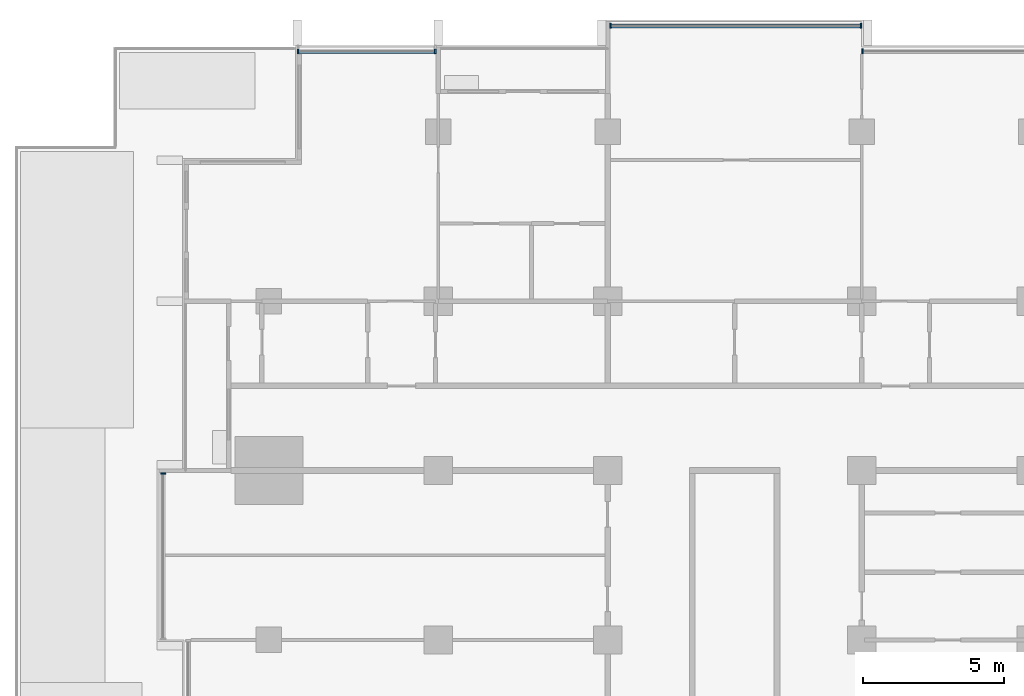
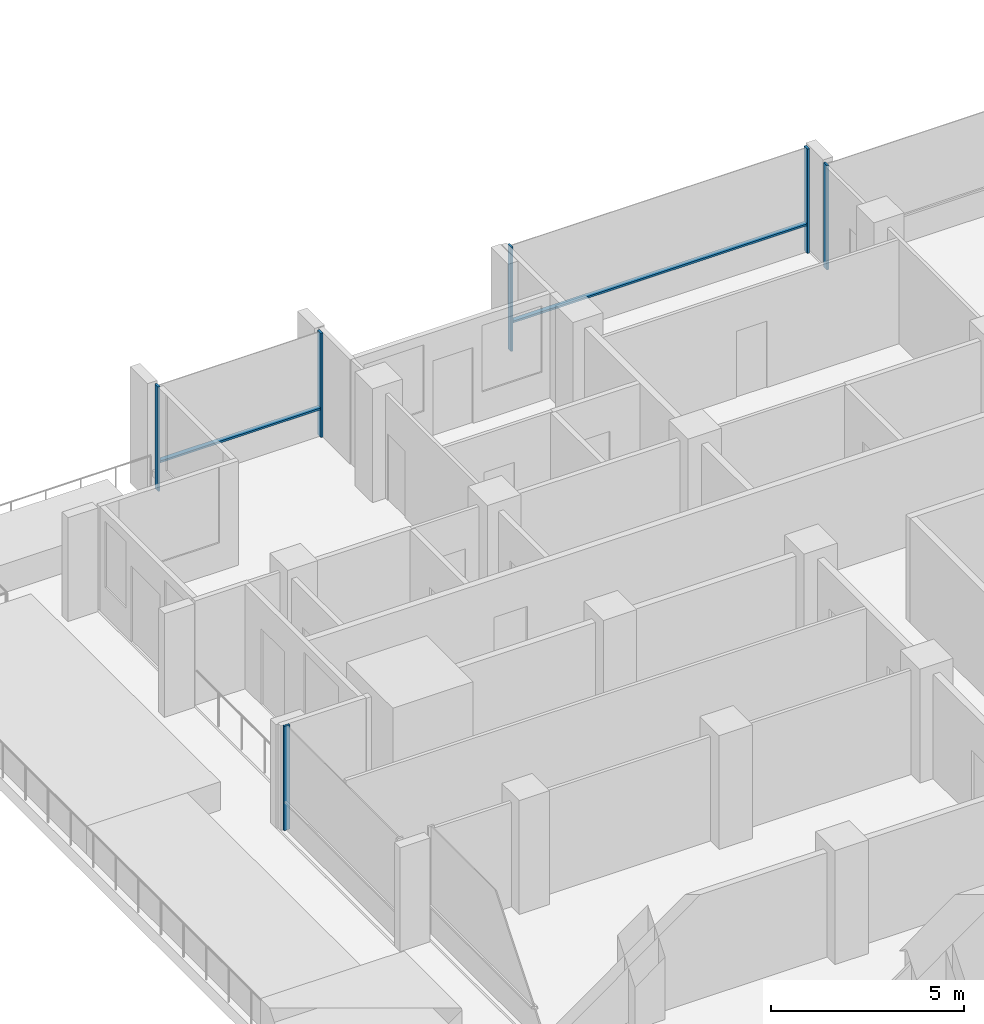
# One storey, part 4 of 18: 8 members, 4 elements without a shape of their own.
"""IFC4 building model written with IfcOpenShell, lengths in metres."""

from ifc_helpers import new_model, si_unit, direction, frame, origin, origin_2d, place, context, subcontext, project, spatial, rectangle, extrude, material, material_profile, profile_set, type_object, element, aggregate, save


model = new_model("IFC4")

# Units and contexts
model_context = context("Model", 3, precision=1e-05, world=origin(), true_north=direction((0.0, 1.0)))
body_context = subcontext(model_context, "Body", "Model", "MODEL_VIEW")
ifc_project = project(units=[si_unit("LENGTHUNIT", "METRE"), si_unit("AREAUNIT", "SQUARE_METRE"), si_unit("VOLUMEUNIT", "CUBIC_METRE"), si_unit("PLANEANGLEUNIT", "RADIAN"), si_unit("MASSUNIT", "GRAM", prefix="KILO")], contexts=[model_context])

# Site, building, storey
site_placement = place(None, origin())
site = spatial("IfcSite", under=ifc_project, at=site_placement, CompositionType="ELEMENT")
building_placement = place(site_placement, origin())
building = spatial("IfcBuilding", under=site, at=building_placement, Name="Finial Court Residences", CompositionType="ELEMENT")
storey_placement = place(building_placement, frame((0.0, 0.0, 149.300048828125)))
storey = spatial("IfcBuildingStorey", under=building, at=storey_placement, Name="L36", CompositionType="ELEMENT", Elevation=149.300048828125)

# Curtain wall, members
ifc_material = material(Name="Bronze anodised aluminium", Category="aluminium")
curtain_wall_type = type_object("IfcCurtainWallType", Name="Unitised curtain wall, upper zones", PredefinedType="NOTDEFINED", material=ifc_material)
curtain_wall_1_placement = place(storey_placement, origin())
curtain_wall_1 = element("IfcCurtainWall", 1, at=curtain_wall_1_placement, inside=storey, type_object=curtain_wall_type, Name="E-L36-CW-N1", PredefinedType="NOTDEFINED")
ifc_material_profile_1 = material_profile(ifc_material, rectangle(XDim=0.175048828125, YDim=0.06005859375, at=origin_2d()), Name="CW2 mullion 60 x 175")
ifc_profile_set_1 = profile_set([ifc_material_profile_1], Name="Bronze anodised aluminium")
member_type_1 = type_object("IfcMemberType", Name="CW2 mullion 60 x 175", PredefinedType="MULLION", material=ifc_profile_set_1)
member_1_placement = place(storey_placement, frame((-15.469970703125, 22.35009765625, 0.0), z_axis=(0.0, 0.0, 1.0), x_axis=(0.0, 1.0, 0.0)))
member_1 = element("IfcMember", 2, at=member_1_placement, type_object=member_type_1, Name="CW2 mullion 1", PredefinedType="MULLION", context=body_context, shape_type="SweptSolid", body=[
    extrude(rectangle(XDim=0.175048828125, YDim=0.06005859375, at=origin_2d()), origin(), (0.0, 0.0, 1.0), 3.300048828125),
])
member_2_placement = place(storey_placement, frame((-10.60498046875, 22.35009765625, 0.0), z_axis=(0.0, 0.0, 1.0), x_axis=(0.0, 1.0, 0.0)))
member_2 = element("IfcMember", 3, at=member_2_placement, type_object=member_type_1, Name="CW2 mullion 2", PredefinedType="MULLION", context=body_context, shape_type="SweptSolid", body=[
    extrude(rectangle(XDim=0.175048828125, YDim=0.06005859375, at=origin_2d()), origin(), (0.0, 0.0, 1.0), 3.300048828125),
])

curtain_wall_2_placement = place(storey_placement, origin())
curtain_wall_2 = element("IfcCurtainWall", 4, at=curtain_wall_2_placement, inside=storey, type_object=curtain_wall_type, Name="E-L36-CW-N2", PredefinedType="NOTDEFINED")
member_3_placement = place(storey_placement, frame((-4.39501953125, 23.25, 0.0), z_axis=(0.0, 0.0, 1.0), x_axis=(0.0, 1.0, 0.0)))
member_3 = element("IfcMember", 5, at=member_3_placement, type_object=member_type_1, Name="CW2 mullion 1", PredefinedType="MULLION", context=body_context, shape_type="SweptSolid", body=[
    extrude(rectangle(XDim=0.175048828125, YDim=0.06005859375, at=origin_2d()), origin(), (0.0, 0.0, 1.0), 3.300048828125),
])
member_4_placement = place(storey_placement, frame((4.469970703125, 23.25, 0.0), z_axis=(0.0, 0.0, 1.0), x_axis=(0.0, 1.0, 0.0)))
member_4 = element("IfcMember", 6, at=member_4_placement, type_object=member_type_1, Name="CW2 mullion 2", PredefinedType="MULLION", context=body_context, shape_type="SweptSolid", body=[
    extrude(rectangle(XDim=0.175048828125, YDim=0.06005859375, at=origin_2d()), origin(), (0.0, 0.0, 1.0), 3.300048828125),
])

# Curtain wall, member
curtain_wall_3_placement = place(storey_placement, origin())
curtain_wall_3 = element("IfcCurtainWall", 7, at=curtain_wall_3_placement, inside=storey, type_object=curtain_wall_type, Name="E-L36-CW-N3", PredefinedType="NOTDEFINED")
member_5_placement = place(storey_placement, frame((4.530029296875, 22.35009765625, 0.0), z_axis=(0.0, 0.0, 1.0), x_axis=(0.0, 1.0, 0.0)))
member_5 = element("IfcMember", 8, at=member_5_placement, type_object=member_type_1, Name="CW2 mullion 1", PredefinedType="MULLION", context=body_context, shape_type="SweptSolid", body=[
    extrude(rectangle(XDim=0.175048828125, YDim=0.06005859375, at=origin_2d()), origin(), (0.0, 0.0, 1.0), 3.300048828125),
])
aggregate(curtain_wall_3, [member_5])

curtain_wall_4_placement = place(storey_placement, origin())
curtain_wall_4 = element("IfcCurtainWall", 9, at=curtain_wall_4_placement, inside=storey, type_object=curtain_wall_type, Name="E-L36-CW-W10", PredefinedType="NOTDEFINED")
member_6_placement = place(storey_placement, frame((-20.25, 7.39501953125, 0.0), z_axis=(0.0, 0.0, 1.0), x_axis=(-1.0, 0.0, 0.0)))
member_6 = element("IfcMember", 10, at=member_6_placement, type_object=member_type_1, Name="CW2 mullion 2", PredefinedType="MULLION", context=body_context, shape_type="SweptSolid", body=[
    extrude(rectangle(XDim=0.175048828125, YDim=0.06005859375, at=origin_2d()), origin(), (0.0, 0.0, 1.0), 3.300048828125),
])
aggregate(curtain_wall_4, [member_6])

# Member
ifc_material_profile_2 = material_profile(ifc_material, rectangle(XDim=0.139892578125, YDim=0.06005859375, at=origin_2d()), Name="CW2 transom 60 x 140")
ifc_profile_set_2 = profile_set([ifc_material_profile_2], Name="Bronze anodised aluminium")
member_type_2 = type_object("IfcMemberType", Name="CW2 transom 60 x 140", PredefinedType="USERDEFINED", material=ifc_profile_set_2)
member_7_placement = place(storey_placement, frame((-15.43994140625, 22.35009765625, 0.89990234375), z_axis=(1.0, 0.0, 0.0), x_axis=(0.0, 1.0, 0.0)))
member_7 = element("IfcMember", 11, at=member_7_placement, type_object=member_type_2, Name="CW2 transom 1.1", ObjectType="TRANSOM", PredefinedType="USERDEFINED", context=body_context, shape_type="SweptSolid", body=[
    extrude(rectangle(XDim=0.139892578125, YDim=0.06005859375, at=origin_2d()), origin(), (0.0, 0.0, 1.0), 4.804931640625),
])

aggregate(curtain_wall_1, [member_1, member_2, member_7])

member_8_placement = place(storey_placement, frame((-4.364990234375, 23.25, 0.89990234375), z_axis=(1.0, 0.0, 0.0), x_axis=(0.0, 1.0, 0.0)))
member_8 = element("IfcMember", 12, at=member_8_placement, type_object=member_type_2, Name="CW2 transom 1.1", ObjectType="TRANSOM", PredefinedType="USERDEFINED", context=body_context, shape_type="SweptSolid", body=[
    extrude(rectangle(XDim=0.139892578125, YDim=0.06005859375, at=origin_2d()), origin(), (0.0, 0.0, 1.0), 8.804931640625),
])

aggregate(curtain_wall_2, [member_3, member_4, member_8])

save(model, "model.ifc")
